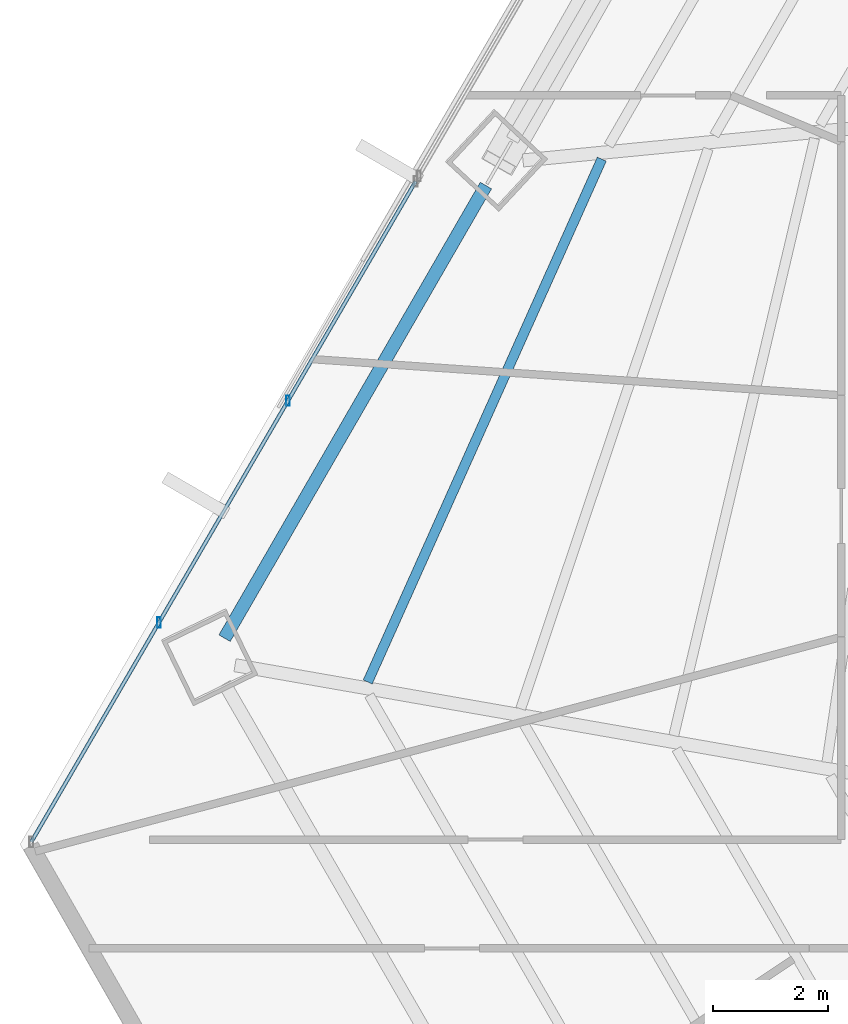
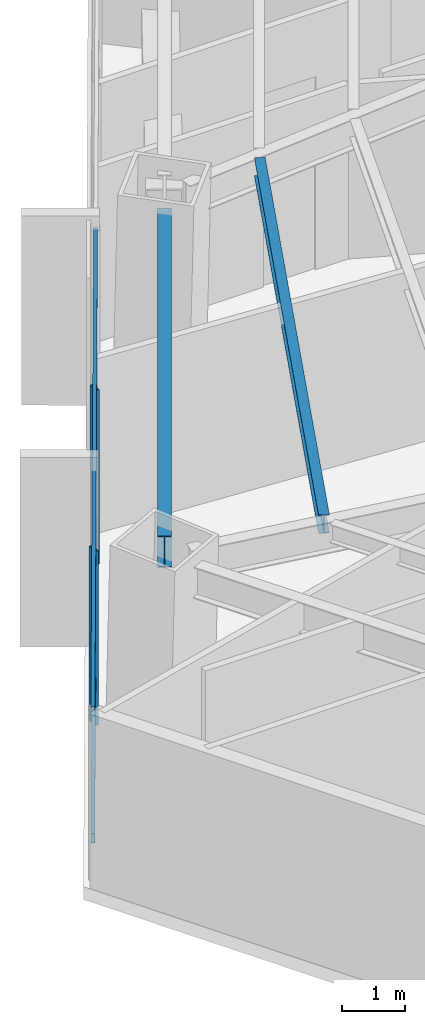
# One storey, part 10 of 34: 4 members, 2 beams, 1 element without a shape of its own.
"""IFC4 building model written with IfcOpenShell, lengths in metres."""

from ifc_helpers import new_model, si_unit, direction, frame, origin, origin_2d, place, context, subcontext, project, spatial, hollow_rectangle, i_section, extrude, source, transform, mapped, material, material_profile, profile_set, type_object, type_shapes, element, aggregate, save


model = new_model("IFC4")

# Units and contexts
model_context = context("Model", 3, precision=1e-05, world=origin(), true_north=direction((0.0, 1.0)))
body_context = subcontext(model_context, "Body", "Model", "MODEL_VIEW")
ifc_project = project(units=[si_unit("LENGTHUNIT", "METRE"), si_unit("AREAUNIT", "SQUARE_METRE"), si_unit("VOLUMEUNIT", "CUBIC_METRE"), si_unit("PLANEANGLEUNIT", "RADIAN"), si_unit("MASSUNIT", "GRAM", prefix="KILO")], contexts=[model_context])

# Site, building, storey
site_placement = place(None, origin())
site = spatial("IfcSite", under=ifc_project, at=site_placement, CompositionType="ELEMENT")
building_placement = place(site_placement, origin())
building = spatial("IfcBuilding", under=site, at=building_placement, Name="Caelisora Broadcast Tower", CompositionType="ELEMENT")
storey_placement = place(building_placement, frame((0.0, 0.0, 56.800048828125)))
storey = spatial("IfcBuildingStorey", under=building, at=storey_placement, Name="L14", CompositionType="ELEMENT", Elevation=56.800048828125)

# Beams
ifc_material_1 = material(Name="Steel Grade 350 (AS/NZS 3679.1)", Category="steel")
ifc_material_profile_1 = material_profile(ifc_material_1, i_section(OverallWidth=0.22900390625, OverallDepth=0.611572265625, WebThickness=0.011962890625, FlangeThickness=0.01953125, at=origin_2d()), Name="Steel Grade 350 (AS/NZS 3679.1)")
ifc_profile_set_1 = profile_set([ifc_material_profile_1], Name="Steel Grade 350 (AS/NZS 3679.1)")
beam_type_1 = type_object("IfcBeamType", Name="PG03", PredefinedType="BEAM", material=ifc_profile_set_1)
shared_shape_1 = source(origin(), body_context, "Body", "SweptSolid", [
    extrude(i_section(OverallWidth=0.22900390625, OverallDepth=0.611572265625, WebThickness=0.011962890625, FlangeThickness=0.01953125, at=origin_2d()), origin(), (0.0, 0.0, 1.0), 9.129638671875),
])
type_shapes(beam_type_1, [shared_shape_1])
beam_1_placement = place(storey_placement, frame((19.193359375, 28.5244140625, 3.09423828125), z_axis=(-0.500010259273, -0.866019480509, 0.0), x_axis=(0.866019480509, -0.500010259273, 0.0)))
element("IfcBeam", 1, at=beam_1_placement, inside=storey, type_object=beam_type_1, Name="L14 beam PG03", PredefinedType="BEAM", context=body_context, shape_type="MappedRepresentation", body=[
    mapped(shared_shape_1, transform((0.0, 0.0, 0.0), scale=1.0)),
])
ifc_material_profile_2 = material_profile(ifc_material_1, i_section(OverallWidth=0.172119140625, OverallDepth=0.358642578125, WebThickness=0.008056640625, FlangeThickness=0.012939453125, at=origin_2d()), Name="Steel Grade 350 (AS/NZS 3679.1)")
ifc_profile_set_2 = profile_set([ifc_material_profile_2], Name="Steel Grade 350 (AS/NZS 3679.1)")
beam_type_2 = type_object("IfcBeamType", Name="SB02", PredefinedType="JOIST", material=ifc_profile_set_2)
shared_shape_2 = source(origin(), body_context, "Body", "SweptSolid", [
    extrude(i_section(OverallWidth=0.172119140625, OverallDepth=0.358642578125, WebThickness=0.008056640625, FlangeThickness=0.012939453125, at=origin_2d()), origin(), (0.0, 0.0, 1.0), 10.00439453125),
])
type_shapes(beam_type_2, [shared_shape_2])
beam_2_placement = place(storey_placement, frame((21.217041015625, 28.9853515625, 3.220703125), z_axis=(-0.408629844276, -0.912700197418, 0.0), x_axis=(0.912700197418, -0.408629844276, 0.0)))
element("IfcBeam", 2, at=beam_2_placement, inside=storey, type_object=beam_type_2, Name="L14 beam SB02", PredefinedType="JOIST", context=body_context, shape_type="MappedRepresentation", body=[
    mapped(shared_shape_2, transform((0.0, 0.0, 0.0), scale=1.0)),
])

# Curtain wall, members
ifc_material_2 = material(Name="Unitised Aluminium and Low-E Glass Curtain Wall", Category="glass")
curtain_wall_type = type_object("IfcCurtainWallType", Name="CW-Z1", PredefinedType="NOTDEFINED", material=ifc_material_2)
curtain_wall_placement = place(storey_placement, origin())
curtain_wall = element("IfcCurtainWall", 3, at=curtain_wall_placement, inside=storey, type_object=curtain_wall_type, Name="L14 curtain wall CW-Z1", PredefinedType="NOTDEFINED")
ifc_material_3 = material(Name="Aluminium 6063-T6 Anodised Terracotta Bronze", Category="aluminium")
ifc_material_profile_3 = material_profile(ifc_material_3, hollow_rectangle(XDim=0.06494140625, YDim=0.179931640625, WallThickness=0.00341796875, at=origin_2d()), Name="Aluminium 6063-T6 Anodised Terracotta Bronze")
ifc_profile_set_3 = profile_set([ifc_material_profile_3], Name="Aluminium 6063-T6 Anodised Terracotta Bronze")
member_type_1 = type_object("IfcMemberType", Name="CWM-02", PredefinedType="MULLION", material=ifc_profile_set_3)
shared_shape_3 = source(origin(), body_context, "Body", "SweptSolid", [
    extrude(hollow_rectangle(XDim=0.06494140625, YDim=0.179931640625, WallThickness=0.00341796875, at=origin_2d()), origin(), (0.0, 0.0, 1.0), 3.39990234375),
])
type_shapes(member_type_1, [shared_shape_3])
member_1_placement = place(storey_placement, frame((13.483154296875, 20.8916015625, 0.0), z_axis=(0.0, 0.0, 1.0), x_axis=(1.0, 0.0, 0.0)))
member_1 = element("IfcMember", 4, at=member_1_placement, type_object=member_type_1, Name="L14-CW-B09 mullion #1", PredefinedType="MULLION", context=body_context, shape_type="MappedRepresentation", body=[
    mapped(shared_shape_3, transform((0.0, 0.0, 0.0), scale=1.0)),
])
member_2_placement = place(storey_placement, frame((15.737548828125, 24.76611328125, 0.0), z_axis=(0.0, 0.0, 1.0), x_axis=(1.0, 0.0, 0.0)))
member_2 = element("IfcMember", 5, at=member_2_placement, type_object=member_type_1, Name="L14-CW-B09 mullion #2", PredefinedType="MULLION", context=body_context, shape_type="MappedRepresentation", body=[
    mapped(shared_shape_3, transform((0.0, 0.0, 0.0), scale=1.0)),
])
ifc_material_profile_4 = material_profile(ifc_material_3, hollow_rectangle(XDim=0.06494140625, YDim=0.179931640625, WallThickness=0.00341796875, at=origin_2d()), Name="Aluminium 6063-T6 Anodised Terracotta Bronze")
ifc_profile_set_4 = profile_set([ifc_material_profile_4], Name="Aluminium 6063-T6 Anodised Terracotta Bronze")
member_type_2 = type_object("IfcMemberType", Name="CWT-01", PredefinedType="USERDEFINED", material=ifc_profile_set_4)
shared_shape_4 = source(origin(), body_context, "Body", "SweptSolid", [
    extrude(hollow_rectangle(XDim=0.06494140625, YDim=0.179931640625, WallThickness=0.00341796875, at=origin_2d()), origin(), (0.0, 0.0, 1.0), 13.34765625),
])
type_shapes(member_type_2, [shared_shape_4])
member_3_placement = place(storey_placement, frame((11.254150390625, 17.060302734375, 0.849853515625), z_axis=(0.502888112276, 0.864351517921, 0.0), x_axis=(-0.864351517921, 0.502888112276, 0.0)))
member_3 = element("IfcMember", 6, at=member_3_placement, type_object=member_type_2, Name="L14-CW-B09 transom #1", ObjectType="TRANSOM", PredefinedType="USERDEFINED", context=body_context, shape_type="MappedRepresentation", body=[
    mapped(shared_shape_4, transform((0.0, 0.0, 0.0), scale=1.0)),
])
member_4_placement = place(storey_placement, frame((11.254150390625, 17.060302734375, 3.320068359375), z_axis=(0.502888112276, 0.864351517921, 0.0), x_axis=(-0.864351517921, 0.502888112276, 0.0)))
member_4 = element("IfcMember", 7, at=member_4_placement, type_object=member_type_2, Name="L14-CW-B09 transom #2", ObjectType="TRANSOM", PredefinedType="USERDEFINED", context=body_context, shape_type="MappedRepresentation", body=[
    mapped(shared_shape_4, transform((0.0, 0.0, 0.0), scale=1.0)),
])
aggregate(curtain_wall, [member_1, member_2, member_3, member_4])

save(model, "model.ifc")
